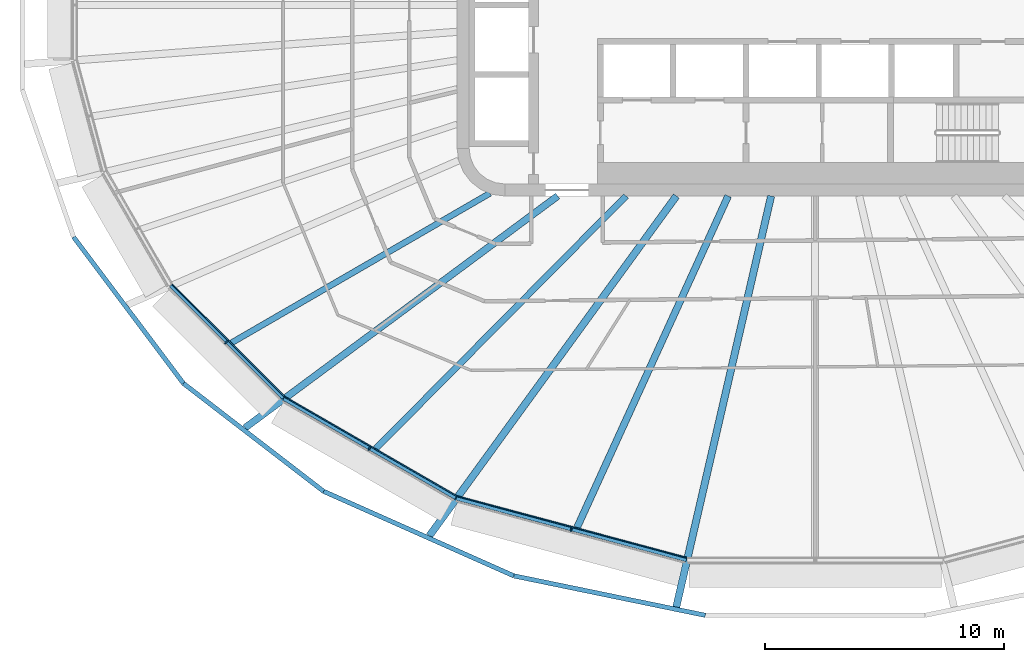
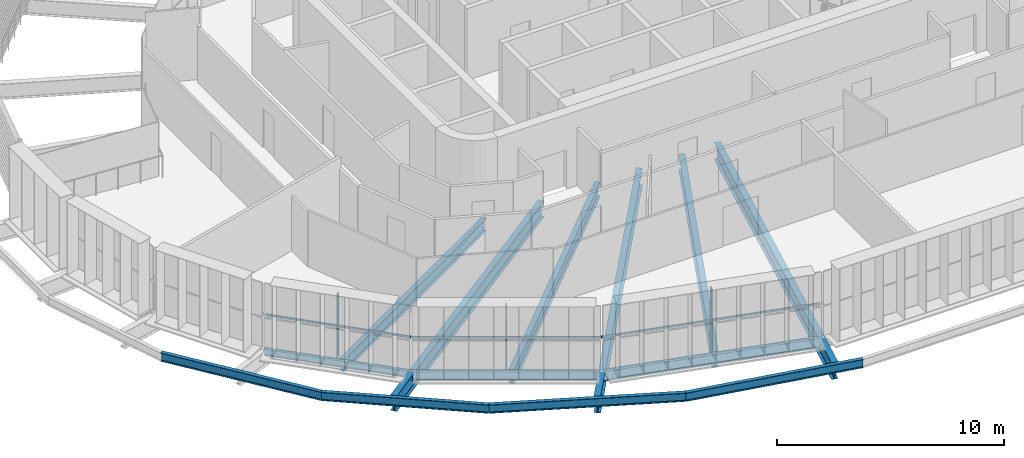
# One storey, part 1 of 23: 13 beams, 6 members, 3 elements without a shape of their own.
"""IFC4 building model written with IfcOpenShell, lengths in metres."""

from ifc_helpers import new_model, si_unit, direction, frame, origin, origin_2d, place, context, subcontext, project, spatial, rectangle, i_section, extrude, material, layer, layer_set, material_profile, profile_set, type_object, element, aggregate, save


model = new_model("IFC4")

# Units and contexts
model_context = context("Model", 3, precision=1e-05, world=origin(), true_north=direction((0.0, 1.0)))
body_context = subcontext(model_context, "Body", "Model", "MODEL_VIEW")
ifc_project = project(units=[si_unit("LENGTHUNIT", "METRE"), si_unit("AREAUNIT", "SQUARE_METRE"), si_unit("VOLUMEUNIT", "CUBIC_METRE"), si_unit("PLANEANGLEUNIT", "RADIAN"), si_unit("MASSUNIT", "GRAM", prefix="KILO")], contexts=[model_context])

# Site, building, storey
site_placement = place(None, origin())
site = spatial("IfcSite", under=ifc_project, at=site_placement, CompositionType="ELEMENT")
building_placement = place(site_placement, origin())
building = spatial("IfcBuilding", under=site, at=building_placement, Name="Sahrelin Media Tower", CompositionType="ELEMENT")
storey_placement = place(building_placement, frame((0.0, 0.0, 173.60009765625)))
storey = spatial("IfcBuildingStorey", under=building, at=storey_placement, Name="L36", CompositionType="ELEMENT", Elevation=173.60009765625)

# Beams
ifc_material_1 = material(Name="Steel S355", Category="steel")
ifc_material_profile_1 = material_profile(ifc_material_1, i_section(OverallWidth=0.17138671875, OverallDepth=0.35498046875, WebThickness=0.00732421875, FlangeThickness=0.011474609375, FilletRadius=0.01025390625, at=origin_2d()), Name="UB 356x171x51")
ifc_profile_set_1 = profile_set([ifc_material_profile_1], Name="Steel S355")
beam_type_1 = type_object("IfcBeamType", Name="Edge beam EB3", PredefinedType="BEAM", material=ifc_profile_set_1)
beam_1_placement = place(storey_placement, frame((-22.2802734375, -16.45263671875, -0.32763671875), z_axis=(-0.707106781187, 0.707106781187, 0.0), x_axis=(-0.707106781187, -0.707106781187, 0.0)))
element("IfcBeam", 1, at=beam_1_placement, inside=storey, type_object=beam_type_1, Name="Edge beam L36-10", PredefinedType="BEAM", context=body_context, shape_type="SweptSolid", body=[
    extrude(i_section(OverallWidth=0.17138671875, OverallDepth=0.35498046875, WebThickness=0.00732421875, FlangeThickness=0.011474609375, FilletRadius=0.01025390625, at=origin_2d()), origin(), (0.0, 0.0, 1.0), 6.659912109375),
])
ifc_material_profile_2 = material_profile(ifc_material_1, i_section(OverallWidth=0.1904296875, OverallDepth=0.45703125, WebThickness=0.009033203125, FlangeThickness=0.014404296875, FilletRadius=0.01025390625, at=origin_2d()), Name="UB 457x191x74")
ifc_profile_set_2 = profile_set([ifc_material_profile_2], Name="Steel S355")
beam_type_2 = type_object("IfcBeamType", Name="Edge beam EB5", PredefinedType="BEAM", material=ifc_profile_set_2)
beam_2_placement = place(storey_placement, frame((-15.0546875, -20.628662109375, -0.378662109375), z_axis=(-0.866025246697, 0.500000272083, 0.0), x_axis=(-0.500000272083, -0.866025246697, 0.0)))
element("IfcBeam", 2, at=beam_2_placement, inside=storey, type_object=beam_type_2, Name="Edge beam L36-09", PredefinedType="BEAM", context=body_context, shape_type="SweptSolid", body=[
    extrude(i_section(OverallWidth=0.1904296875, OverallDepth=0.45703125, WebThickness=0.009033203125, FlangeThickness=0.014404296875, FilletRadius=0.01025390625, at=origin_2d()), origin(), (0.0, 0.0, 1.0), 8.31689453125),
])
ifc_material_profile_3 = material_profile(ifc_material_1, i_section(OverallWidth=0.208740234375, OverallDepth=0.5283203125, WebThickness=0.009521484375, FlangeThickness=0.01318359375, FilletRadius=0.0126953125, at=origin_2d()), Name="UB 533x210x82")
ifc_profile_set_3 = profile_set([ifc_material_profile_3], Name="Steel S355")
beam_type_3 = type_object("IfcBeamType", Name="Edge beam EB6", PredefinedType="BEAM", material=ifc_profile_set_3)
beam_3_placement = place(storey_placement, frame((-5.38818359375, -23.22265625, -0.414306640625), z_axis=(-0.965925666442, 0.25881964166, 0.0), x_axis=(-0.25881964166, -0.965925666442, 0.0)))
element("IfcBeam", 3, at=beam_3_placement, inside=storey, type_object=beam_type_3, Name="Edge beam L36-08", PredefinedType="BEAM", context=body_context, shape_type="SweptSolid", body=[
    extrude(i_section(OverallWidth=0.208740234375, OverallDepth=0.5283203125, WebThickness=0.009521484375, FlangeThickness=0.01318359375, FilletRadius=0.0126953125, at=origin_2d()), origin(), (0.0, 0.0, 1.0), 9.97998046875),
])

# Curtain wall, member
ifc_material_2 = material(Name="Champagne anodised aluminium 6063-T6", Category="aluminium")
ifc_layer = layer(ifc_material_2, 0.14990234375)
ifc_layer_set = layer_set([ifc_layer], Name="Tower ribbon curtain wall")
curtain_wall_type = type_object("IfcCurtainWallType", Name="Tower ribbon curtain wall", PredefinedType="NOTDEFINED", material=ifc_layer_set)
curtain_wall_1_placement = place(storey_placement, frame((-24.740966796875, -14.2041015625, 0.0), z_axis=(0.0, 0.0, 1.0), x_axis=(1.0, 0.0, 0.0)))
curtain_wall_1 = element("IfcCurtainWall", 4, at=curtain_wall_1_placement, inside=storey, type_object=curtain_wall_type, Name="L36:CW:L36-15", PredefinedType="NOTDEFINED")
ifc_material_profile_4 = material_profile(ifc_material_2, rectangle(XDim=0.06005859375, YDim=0.175048828125, at=origin_2d()), Name="Mullion 60x175")
ifc_profile_set_4 = profile_set([ifc_material_profile_4], Name="Champagne anodised aluminium 6063-T6")
member_type_1 = type_object("IfcMemberType", Name="Mullion 60x175 CW1B", PredefinedType="MULLION", material=ifc_profile_set_4)
member_1_placement = place(storey_placement, frame((-24.6650390625, -14.1279296875, 0.0), z_axis=(0.0, 0.0, 1.0), x_axis=(0.707106781187, -0.707106781187, 0.0)))
member_1 = element("IfcMember", 5, at=member_1_placement, type_object=member_type_1, Name="L36:CWM:L36-15", PredefinedType="MULLION", context=body_context, shape_type="SweptSolid", body=[
    extrude(rectangle(XDim=0.06005859375, YDim=0.175048828125, at=origin_2d()), origin(), (0.0, 0.0, 1.0), 3.448486328125),
])

curtain_wall_2_placement = place(storey_placement, frame((-18.73095703125, -18.67919921875, 0.0), z_axis=(0.0, 0.0, 1.0), x_axis=(1.0, 0.0, 0.0)))
curtain_wall_2 = element("IfcCurtainWall", 6, at=curtain_wall_2_placement, inside=storey, type_object=curtain_wall_type, Name="L36:CW:L36-16", PredefinedType="NOTDEFINED")
member_2_placement = place(storey_placement, frame((-18.67724609375, -18.586181640625, 0.0), z_axis=(0.0, 0.0, 1.0), x_axis=(0.866027149108, -0.499996976998, 0.0)))
member_2 = element("IfcMember", 7, at=member_2_placement, type_object=member_type_1, Name="L36:CWM:L36-16", PredefinedType="MULLION", context=body_context, shape_type="SweptSolid", body=[
    extrude(rectangle(XDim=0.06005859375, YDim=0.175048828125, at=origin_2d()), origin(), (0.0, 0.0, 1.0), 3.448486328125),
])

curtain_wall_3_placement = place(storey_placement, frame((-10.2470703125, -22.076171875, 0.0), z_axis=(0.0, 0.0, 1.0), x_axis=(1.0, 0.0, 0.0)))
curtain_wall_3 = element("IfcCurtainWall", 8, at=curtain_wall_3_placement, inside=storey, type_object=curtain_wall_type, Name="L36:CW:L36-17", PredefinedType="NOTDEFINED")
member_3_placement = place(storey_placement, frame((-10.218994140625, -21.97216796875, 0.0), z_axis=(0.0, 0.0, 1.0), x_axis=(0.965925374563, -0.258820730961, 0.0)))
member_3 = element("IfcMember", 9, at=member_3_placement, type_object=member_type_1, Name="L36:CWM:L36-17", PredefinedType="MULLION", context=body_context, shape_type="SweptSolid", body=[
    extrude(rectangle(XDim=0.06005859375, YDim=0.175048828125, at=origin_2d()), origin(), (0.0, 0.0, 1.0), 3.448486328125),
])

# Beams
ifc_material_profile_5 = material_profile(ifc_material_1, i_section(OverallWidth=0.291748046875, OverallDepth=0.8349609375, WebThickness=0.013916015625, FlangeThickness=0.018798828125, FilletRadius=0.017822265625, at=origin_2d()), Name="UB 838x292x176")
ifc_profile_set_5 = profile_set([ifc_material_profile_5], Name="Steel S355")
beam_type_4 = type_object("IfcBeamType", Name="Radial primary beam PB10", PredefinedType="BEAM", material=ifc_profile_set_5)
beam_4_placement = place(storey_placement, frame((-10.7880859375, -8.0, -0.567626953125), z_axis=(-0.803237803341, -0.595658485446, 0.0), x_axis=(0.595658485446, -0.803237803341, 0.0)))
element("IfcBeam", 10, at=beam_4_placement, inside=storey, type_object=beam_type_4, Name="Radial beam L36-16", PredefinedType="BEAM", context=body_context, shape_type="SweptSolid", body=[
    extrude(i_section(OverallWidth=0.291748046875, OverallDepth=0.8349609375, WebThickness=0.013916015625, FlangeThickness=0.018798828125, FilletRadius=0.017822265625, at=origin_2d()), origin(), (0.0, 0.0, 1.0), 16.309326171875),
])
ifc_material_profile_6 = material_profile(ifc_material_1, i_section(OverallWidth=0.30322265625, OverallDepth=0.903076171875, WebThickness=0.01513671875, FlangeThickness=0.020263671875, FilletRadius=0.01904296875, at=origin_2d()), Name="UB 914x305x201")
ifc_profile_set_6 = profile_set([ifc_material_profile_6], Name="Steel S355")
beam_type_5 = type_object("IfcBeamType", Name="Radial primary beam PB11", PredefinedType="BEAM", material=ifc_profile_set_6)
beam_5_placement = place(storey_placement, frame((-5.814453125, -8.0, -0.6015625), z_axis=(-0.587929171174, -0.808912411626, 0.0), x_axis=(0.808912411626, -0.587929171174, 0.0)))
element("IfcBeam", 11, at=beam_5_placement, inside=storey, type_object=beam_type_5, Name="Radial beam L36-17", PredefinedType="BEAM", context=body_context, shape_type="SweptSolid", body=[
    extrude(i_section(OverallWidth=0.30322265625, OverallDepth=0.903076171875, WebThickness=0.01513671875, FlangeThickness=0.020263671875, FilletRadius=0.01904296875, at=origin_2d()), origin(), (0.0, 0.0, 1.0), 17.599365234375),
])
beam_6_placement = place(storey_placement, frame((-1.845947265625, -8.0, -0.6015625), z_axis=(-0.2248342816, -0.974397016527, 0.0), x_axis=(0.974397016527, -0.2248342816, 0.0)))
element("IfcBeam", 12, at=beam_6_placement, inside=storey, type_object=beam_type_5, Name="Radial beam L36-18", PredefinedType="BEAM", context=body_context, shape_type="SweptSolid", body=[
    extrude(i_section(OverallWidth=0.30322265625, OverallDepth=0.903076171875, WebThickness=0.01513671875, FlangeThickness=0.020263671875, FilletRadius=0.01904296875, at=origin_2d()), origin(), (0.0, 0.0, 1.0), 17.67138671875),
])
ifc_material_profile_7 = material_profile(ifc_material_1, i_section(OverallWidth=0.291748046875, OverallDepth=0.8349609375, WebThickness=0.013916015625, FlangeThickness=0.018798828125, FilletRadius=0.017822265625, at=origin_2d()), Name="UB 838x292x176")
ifc_profile_set_7 = profile_set([ifc_material_profile_7], Name="Steel S355")
beam_type_6 = type_object("IfcBeamType", Name="Radial secondary beam SB10", PredefinedType="BEAM", material=ifc_profile_set_7)
beam_7_placement = place(storey_placement, frame((-3.64599609375, -8.0, -0.567626953125), z_axis=(-0.414721240901, -0.909948510821, 0.0), x_axis=(0.909948510821, -0.414721240901, 0.0)))
element("IfcBeam", 13, at=beam_7_placement, inside=storey, type_object=beam_type_6, Name="Secondary beam L36-13", PredefinedType="BEAM", context=body_context, shape_type="SweptSolid", body=[
    extrude(i_section(OverallWidth=0.291748046875, OverallDepth=0.8349609375, WebThickness=0.013916015625, FlangeThickness=0.018798828125, FilletRadius=0.017822265625, at=origin_2d()), origin(), (0.0, 0.0, 1.0), 15.260009765625),
])
ifc_material_profile_8 = material_profile(ifc_material_1, i_section(OverallWidth=0.2529296875, OverallDepth=0.677978515625, WebThickness=0.01171875, FlangeThickness=0.01611328125, FilletRadius=0.01513671875, at=origin_2d()), Name="UB 686x254x125")
ifc_profile_set_8 = profile_set([ifc_material_profile_8], Name="Steel S355")
beam_type_7 = type_object("IfcBeamType", Name="Radial secondary beam SB8", PredefinedType="BEAM", material=ifc_profile_set_8)
beam_8_placement = place(storey_placement, frame((-13.627197265625, -7.886474609375, -0.489013671875), z_axis=(-0.865516660441, -0.500880135859, 0.0), x_axis=(0.500880135859, -0.865516660441, 0.0)))
element("IfcBeam", 14, at=beam_8_placement, inside=storey, type_object=beam_type_7, Name="Secondary beam L36-11", PredefinedType="BEAM", context=body_context, shape_type="SweptSolid", body=[
    extrude(i_section(OverallWidth=0.2529296875, OverallDepth=0.677978515625, WebThickness=0.01171875, FlangeThickness=0.01611328125, FilletRadius=0.01513671875, at=origin_2d()), origin(), (0.0, 0.0, 1.0), 12.51318359375),
])
ifc_material_profile_9 = material_profile(ifc_material_1, i_section(OverallWidth=0.26513671875, OverallDepth=0.75390625, WebThickness=0.0126953125, FlangeThickness=0.017578125, FilletRadius=0.0166015625, at=origin_2d()), Name="UB 762x267x147")
ifc_profile_set_9 = profile_set([ifc_material_profile_9], Name="Steel S355")
beam_type_8 = type_object("IfcBeamType", Name="Radial secondary beam SB9", PredefinedType="BEAM", material=ifc_profile_set_9)
beam_9_placement = place(storey_placement, frame((-7.923583984375, -8.0, -0.527099609375), z_axis=(-0.703714258153, -0.710483105269, 0.0), x_axis=(0.710483105269, -0.703714258153, 0.0)))
element("IfcBeam", 15, at=beam_9_placement, inside=storey, type_object=beam_type_8, Name="Secondary beam L36-12", PredefinedType="BEAM", context=body_context, shape_type="SweptSolid", body=[
    extrude(i_section(OverallWidth=0.26513671875, OverallDepth=0.75390625, WebThickness=0.0126953125, FlangeThickness=0.017578125, FilletRadius=0.0166015625, at=origin_2d()), origin(), (0.0, 0.0, 1.0), 14.896240234375),
])
ifc_material_profile_10 = material_profile(ifc_material_1, i_section(OverallWidth=0.1904296875, OverallDepth=0.45703125, WebThickness=0.009033203125, FlangeThickness=0.014404296875, FilletRadius=0.01025390625, at=origin_2d()), Name="UB 457x191x74")
ifc_profile_set_10 = profile_set([ifc_material_profile_10], Name="Steel S355")
beam_type_9 = type_object("IfcBeamType", Name="Tie chord TC5", PredefinedType="BEAM", material=ifc_profile_set_10)
beam_10_placement = place(storey_placement, frame((-31.067626953125, -9.71630859375, -0.378662109375), z_axis=(0.600035657065, -0.79997325596, 0.0), x_axis=(0.79997325596, 0.600035657065, 0.0)))
element("IfcBeam", 16, at=beam_10_placement, inside=storey, type_object=beam_type_9, Name="Tie chord L36-14", PredefinedType="BEAM", context=body_context, shape_type="SweptSolid", body=[
    extrude(i_section(OverallWidth=0.1904296875, OverallDepth=0.45703125, WebThickness=0.009033203125, FlangeThickness=0.014404296875, FilletRadius=0.01025390625, at=origin_2d()), origin(), (0.0, 0.0, 1.0), 7.66845703125),
])
beam_11_placement = place(storey_placement, frame((-26.46630859375, -15.850830078125, -0.378662109375), z_axis=(0.792434124871, -0.609957504864, 0.0), x_axis=(0.609957504864, 0.792434124871, 0.0)))
element("IfcBeam", 17, at=beam_11_placement, inside=storey, type_object=beam_type_9, Name="Tie chord L36-15", PredefinedType="BEAM", context=body_context, shape_type="SweptSolid", body=[
    extrude(i_section(OverallWidth=0.1904296875, OverallDepth=0.45703125, WebThickness=0.009033203125, FlangeThickness=0.014404296875, FilletRadius=0.01025390625, at=origin_2d()), origin(), (0.0, 0.0, 1.0), 7.410888671875),
])
beam_12_placement = place(storey_placement, frame((-20.59375, -20.37109375, -0.378662109375), z_axis=(0.913835787725, -0.406083923682, 0.0), x_axis=(0.406083923682, 0.913835787725, 0.0)))
element("IfcBeam", 18, at=beam_12_placement, inside=storey, type_object=beam_type_9, Name="Tie chord L36-16", PredefinedType="BEAM", context=body_context, shape_type="SweptSolid", body=[
    extrude(i_section(OverallWidth=0.1904296875, OverallDepth=0.45703125, WebThickness=0.009033203125, FlangeThickness=0.014404296875, FilletRadius=0.01025390625, at=origin_2d()), origin(), (0.0, 0.0, 1.0), 8.7216796875),
])
beam_13_placement = place(storey_placement, frame((-12.62353515625, -23.912841796875, -0.378662109375), z_axis=(0.979391540404, -0.201970816172, 0.0), x_axis=(0.201970816172, 0.979391540404, 0.0)))
element("IfcBeam", 19, at=beam_13_placement, inside=storey, type_object=beam_type_9, Name="Tie chord L36-17", PredefinedType="BEAM", context=body_context, shape_type="SweptSolid", body=[
    extrude(i_section(OverallWidth=0.1904296875, OverallDepth=0.45703125, WebThickness=0.009033203125, FlangeThickness=0.014404296875, FilletRadius=0.01025390625, at=origin_2d()), origin(), (0.0, 0.0, 1.0), 8.190673828125),
])

# Member
ifc_material_profile_11 = material_profile(ifc_material_2, rectangle(XDim=0.050048828125, YDim=0.110107421875, at=origin_2d()), Name="Transom 50x110")
ifc_profile_set_11 = profile_set([ifc_material_profile_11], Name="Champagne anodised aluminium 6063-T6")
member_type_2 = type_object("IfcMemberType", Name="Transom 50x110 CW1B", PredefinedType="USERDEFINED", material=ifc_profile_set_11)
member_4_placement = place(storey_placement, frame((-26.928955078125, -11.704833984375, 1.599853515625), z_axis=(0.707088365269, -0.707125196625, 0.0), x_axis=(0.707125196625, 0.707088365269, 0.0)))
member_4 = element("IfcMember", 20, at=member_4_placement, type_object=member_type_2, Name="L36:CWT:L36-15", ObjectType="TRANSOM", PredefinedType="USERDEFINED", context=body_context, shape_type="SweptSolid", body=[
    extrude(rectangle(XDim=0.050048828125, YDim=0.110107421875, at=origin_2d()), origin(), (0.0, 0.0, 1.0), 6.628662109375),
])

aggregate(curtain_wall_1, [member_1, member_4])

member_5_placement = place(storey_placement, frame((-22.208740234375, -16.41748046875, 1.599853515625), z_axis=(0.866024150361, -0.500002170987, 0.0), x_axis=(0.500002170987, 0.866024150361, 0.0)))
member_5 = element("IfcMember", 21, at=member_5_placement, type_object=member_type_2, Name="L36:CWT:L36-16", ObjectType="TRANSOM", PredefinedType="USERDEFINED", context=body_context, shape_type="SweptSolid", body=[
    extrude(rectangle(XDim=0.050048828125, YDim=0.110107421875, at=origin_2d()), origin(), (0.0, 0.0, 1.0), 8.28564453125),
])

aggregate(curtain_wall_2, [member_2, member_5])

member_6_placement = place(storey_placement, frame((-14.99462890625, -20.576171875, 1.599853515625), z_axis=(0.965927128599, -0.258814184766, 0.0), x_axis=(0.258814184766, 0.965927128599, 0.0)))
member_6 = element("IfcMember", 22, at=member_6_placement, type_object=member_type_2, Name="L36:CWT:L36-17", ObjectType="TRANSOM", PredefinedType="USERDEFINED", context=body_context, shape_type="SweptSolid", body=[
    extrude(rectangle(XDim=0.050048828125, YDim=0.110107421875, at=origin_2d()), origin(), (0.0, 0.0, 1.0), 9.947998046875),
])

aggregate(curtain_wall_3, [member_3, member_6])

save(model, "model.ifc")
